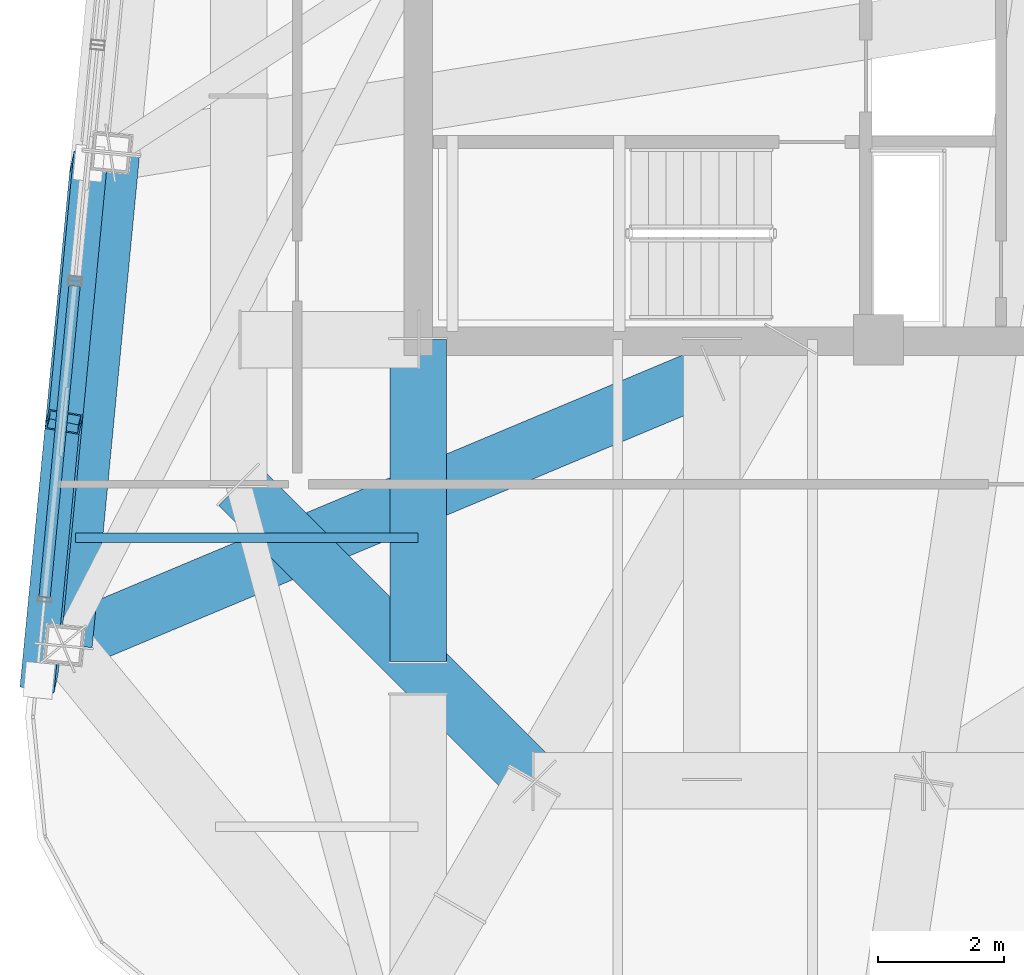
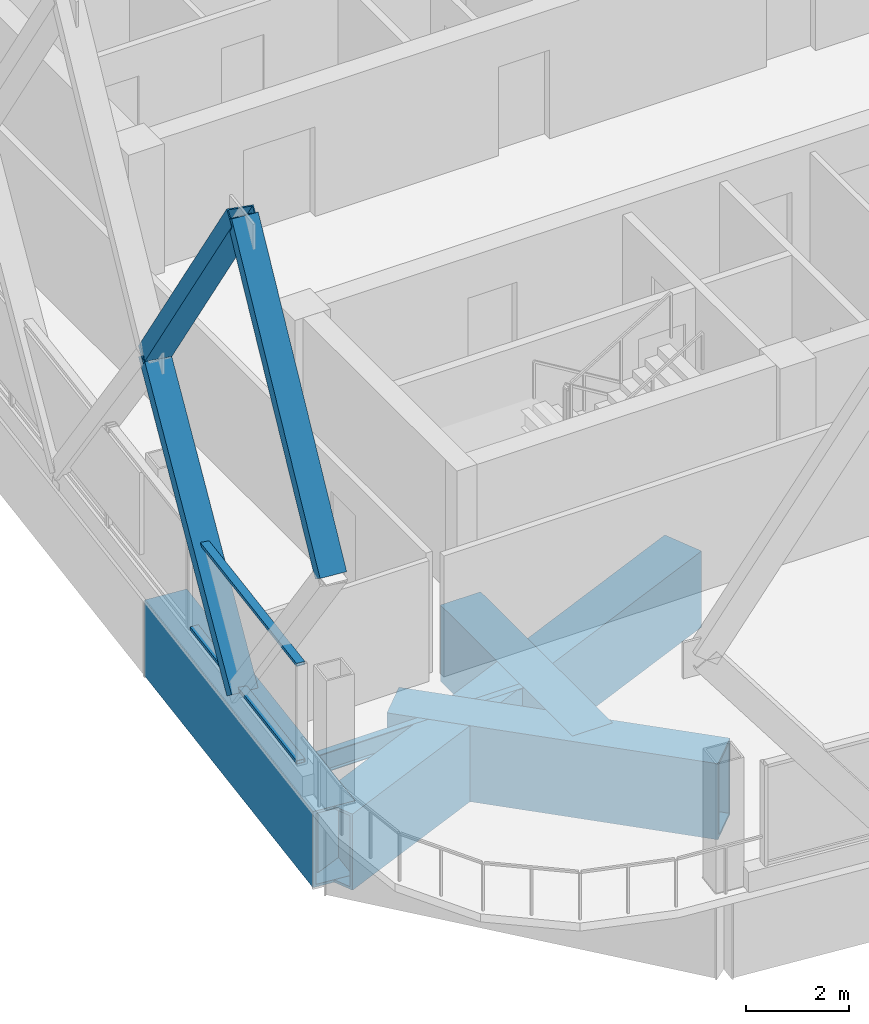
# One storey, part 5 of 31: 5 beams, 5 members, 1 element without a shape of its own.
"""IFC4 building model written with IfcOpenShell, lengths in metres."""

from ifc_helpers import new_model, si_unit, direction, frame, origin, origin_2d, place, context, subcontext, project, spatial, hollow_rectangle, i_section, extrude, material, layer, layer_set, material_profile, profile_set, type_object, element, aggregate, save


model = new_model("IFC4")

# Units and contexts
model_context = context("Model", 3, precision=1e-05, world=origin(), true_north=direction((0.0, 1.0)))
body_context = subcontext(model_context, "Body", "Model", "MODEL_VIEW")
ifc_project = project(units=[si_unit("LENGTHUNIT", "METRE"), si_unit("AREAUNIT", "SQUARE_METRE"), si_unit("VOLUMEUNIT", "CUBIC_METRE"), si_unit("PLANEANGLEUNIT", "RADIAN"), si_unit("MASSUNIT", "GRAM", prefix="KILO")], contexts=[model_context])

# Site, building, storey
site_placement = place(None, origin())
site = spatial("IfcSite", under=ifc_project, at=site_placement, CompositionType="ELEMENT")
building_placement = place(site_placement, origin())
building = spatial("IfcBuilding", under=site, at=building_placement, Name="Qhalaya Broadcast Tower", CompositionType="ELEMENT")
storey_placement = place(building_placement, frame((0.0, 0.0, 242.85009765625)))
storey = spatial("IfcBuildingStorey", under=building, at=storey_placement, Name="L71", CompositionType="ELEMENT", Elevation=242.85009765625)

# Beams
ifc_material_1 = material(Name="Structural Steel ASTM A572 Grade 50", Category="steel")
ifc_material_profile_1 = material_profile(ifc_material_1, hollow_rectangle(XDim=0.89990234375, YDim=1.800048828125, WallThickness=0.06005859375, at=origin_2d()), Name="BOX 900x1800x60")
ifc_profile_set_1 = profile_set([ifc_material_profile_1], Name="Structural Steel ASTM A572 Grade 50")
beam_type_1 = type_object("IfcBeamType", Name="Block Cantilever Transfer Box Girder TG1", PredefinedType="USERDEFINED", material=ifc_profile_set_1)
beam_1_placement = place(storey_placement, frame((-14.25634765625, -5.77783203125, -1.090087890625), z_axis=(-0.095864972855, -0.995394347472, 0.0), x_axis=(0.995394347472, -0.095864972855, 0.0)))
element("IfcBeam", 1, at=beam_1_placement, inside=storey, type_object=beam_type_1, Name="L71 TG1 L71-SPR-15", ObjectType="GIRDER", PredefinedType="USERDEFINED", context=body_context, shape_type="SweptSolid", body=[
    extrude(hollow_rectangle(XDim=0.89990234375, YDim=1.800048828125, WallThickness=0.06005859375, at=origin_2d()), origin(), (0.0, 0.0, 1.0), 7.86669921875),
])
beam_2_placement = place(storey_placement, frame((-12.22998046875, -11.070068359375, -1.090087890625), z_axis=(0.707106781187, -0.707106781187, 0.0), x_axis=(0.707106781187, 0.707106781187, 0.0)))
element("IfcBeam", 2, at=beam_2_placement, inside=storey, type_object=beam_type_1, Name="L71 TG1 L71-TGL-16", ObjectType="GIRDER", PredefinedType="USERDEFINED", context=body_context, shape_type="SweptSolid", body=[
    extrude(hollow_rectangle(XDim=0.89990234375, YDim=1.800048828125, WallThickness=0.06005859375, at=origin_2d()), origin(), (0.0, 0.0, 1.0), 6.646728515625),
])
beam_3_placement = place(storey_placement, frame((-9.375, -13.868408203125, -1.090087890625), z_axis=(0.0, 1.0, 0.0), x_axis=(-1.0, 0.0, 0.0)))
element("IfcBeam", 3, at=beam_3_placement, inside=storey, type_object=beam_type_1, Name="L71 TG1 L71-TGISW-1", ObjectType="GIRDER", PredefinedType="USERDEFINED", context=body_context, shape_type="SweptSolid", body=[
    extrude(hollow_rectangle(XDim=0.89990234375, YDim=1.800048828125, WallThickness=0.06005859375, at=origin_2d()), origin(), (0.0, 0.0, 1.0), 5.118408203125),
])
beam_4_placement = place(storey_placement, frame((-4.699951171875, -9.287353515625, -1.090087890625), z_axis=(-0.922281538273, -0.386518775949, 0.0), x_axis=(0.386518775949, -0.922281538273, 0.0)))
element("IfcBeam", 4, at=beam_4_placement, inside=storey, type_object=beam_type_1, Name="L71 Continuous Cantilever Transfer Box Girder 16", ObjectType="GIRDER", PredefinedType="USERDEFINED", context=body_context, shape_type="SweptSolid", body=[
    extrude(hollow_rectangle(XDim=0.89990234375, YDim=1.800048828125, WallThickness=0.06005859375, at=origin_2d()), origin(), (0.0, 0.0, 1.0), 11.179443359375),
])
ifc_material_2 = material(Name="Structural Steel ASTM A992 Grade 50", Category="steel")
ifc_material_profile_2 = material_profile(ifc_material_2, i_section(OverallWidth=0.154052734375, OverallDepth=0.458984375, WebThickness=0.009033203125, FlangeThickness=0.015380859375, at=origin_2d()), Name="W18X46")
ifc_profile_set_2 = profile_set([ifc_material_profile_2], Name="Structural Steel ASTM A992 Grade 50")
beam_type_2 = type_object("IfcBeamType", Name="Composite Floor Joist J04", PredefinedType="JOIST", material=ifc_profile_set_2)
beam_5_placement = place(storey_placement, frame((-14.82568359375, -11.89990234375, -0.419677734375), z_axis=(1.0, 0.0, 0.0), x_axis=(0.0, 1.0, 0.0)))
element("IfcBeam", 5, at=beam_5_placement, inside=storey, type_object=beam_type_2, Name="L71 J04 L71-JWE2W-1", PredefinedType="JOIST", context=body_context, shape_type="SweptSolid", body=[
    extrude(i_section(OverallWidth=0.154052734375, OverallDepth=0.458984375, WebThickness=0.009033203125, FlangeThickness=0.015380859375, at=origin_2d()), origin(), (0.0, 0.0, 1.0), 5.45068359375),
])

# Members
ifc_material_profile_3 = material_profile(ifc_material_1, hollow_rectangle(XDim=0.3798828125, YDim=0.550048828125, WallThickness=0.02490234375, at=origin_2d()), Name="BOX 380x550x25")
ifc_profile_set_3 = profile_set([ifc_material_profile_3], Name="Structural Steel ASTM A572 Grade 50")
member_type_1 = type_object("IfcMemberType", Name="Exoskeleton Diamond Diagonal Upper EX4", PredefinedType="BRACE", material=ifc_profile_set_3)
member_1_placement = place(storey_placement, frame((-15.01025390625, -10.05859375, 0.35986328125), z_axis=(0.058301925892, 0.605362942159, 0.793811434597), x_axis=(-0.171153078973, -0.777329359739, 0.60536409709)))
element("IfcMember", 6, at=member_1_placement, inside=storey, type_object=member_type_1, Name="B6 Exoskeleton Diamond Brace W3-D1", PredefinedType="BRACE", context=body_context, shape_type="SweptSolid", body=[
    extrude(hollow_rectangle(XDim=0.3798828125, YDim=0.550048828125, WallThickness=0.02490234375, at=origin_2d()), origin(), (0.0, 0.0, 1.0), 6.79638671875),
])
for number, where, z_axis, x_axis, name in (
    (7, (-14.614013671875, -5.9443359375, 5.7548828125), (-0.055161336321, -0.572753444041, 0.817869622443), (0.17344881055, 0.801166493771, 0.572754536758), "B6 Exoskeleton Diamond Brace W3-D3"),
    (8, (-15.406494140625, -14.173095703125, 5.7548828125), (0.055160262532, 0.572776281238, 0.817853701519), (-0.173442755081, -0.801151701204, 0.572777061664), "B6 Exoskeleton Diamond Brace W3-D4"),
):
    element("IfcMember", number, at=place(storey_placement, frame(where, z_axis=z_axis, x_axis=x_axis)), inside=storey, type_object=member_type_1, Name=name, PredefinedType="BRACE", context=body_context, shape_type="SweptSolid", body=[
        extrude(hollow_rectangle(XDim=0.3798828125, YDim=0.550048828125, WallThickness=0.02490234375, at=origin_2d()), origin(), (0.0, 0.0, 1.0), 7.183349609375),
    ])

# Curtain wall, members
ifc_material_3 = material(Name="Fired Architectural Terracotta", Category="masonry")
ifc_layer = layer(ifc_material_3, 0.219970703125, Name="Fired Architectural Terracotta")
ifc_layer_set = layer_set([ifc_layer], Name="Fired Architectural Terracotta")
curtain_wall_type = type_object("IfcCurtainWallType", Name="Block-Cap Unitised Terracotta Spandrel Wall CW-07", PredefinedType="NOTDEFINED", material=ifc_layer_set)
curtain_wall_placement = place(storey_placement, origin())
curtain_wall = element("IfcCurtainWall", 9, at=curtain_wall_placement, inside=storey, type_object=curtain_wall_type, Name="L71 Unitised Curtain Wall L71-CW-W5", PredefinedType="NOTDEFINED")
ifc_material_4 = material(Name="Anodised Aluminium 6063-T6", Category="aluminium")
ifc_material_profile_4 = material_profile(ifc_material_4, hollow_rectangle(XDim=0.074951171875, YDim=0.179931640625, WallThickness=0.00390625, at=origin_2d()), Name="ALU-TRN 75x180x4")
ifc_profile_set_4 = profile_set([ifc_material_profile_4], Name="Anodised Aluminium 6063-T6")
member_type_2 = type_object("IfcMemberType", Name="Unitised Curtain-Wall Transom T01", PredefinedType="USERDEFINED", material=ifc_profile_set_4)
member_2_placement = place(storey_placement, frame((-14.841796875, -7.89306640625, 0.517333984375), z_axis=(-0.095838509296, -0.995396895784, 0.0), x_axis=(0.0, 0.0, 1.0)))
member_2 = element("IfcMember", 10, at=member_2_placement, type_object=member_type_2, Name="CW-07 transom 1.1", ObjectType="TRANSOM", PredefinedType="USERDEFINED", context=body_context, shape_type="SweptSolid", body=[
    extrude(hollow_rectangle(XDim=0.074951171875, YDim=0.179931640625, WallThickness=0.00390625, at=origin_2d()), origin(), (0.0, 0.0, 1.0), 4.980224609375),
])
member_3_placement = place(storey_placement, frame((-14.841796875, -7.89306640625, 2.822509765625), z_axis=(-0.095838509296, -0.995396895784, 0.0), x_axis=(0.0, 0.0, 1.0)))
member_3 = element("IfcMember", 11, at=member_3_placement, type_object=member_type_2, Name="CW-07 transom 1.2", ObjectType="TRANSOM", PredefinedType="USERDEFINED", context=body_context, shape_type="SweptSolid", body=[
    extrude(hollow_rectangle(XDim=0.074951171875, YDim=0.179931640625, WallThickness=0.00390625, at=origin_2d()), origin(), (0.0, 0.0, 1.0), 4.980224609375),
])
aggregate(curtain_wall, [member_2, member_3])

save(model, "model.ifc")
